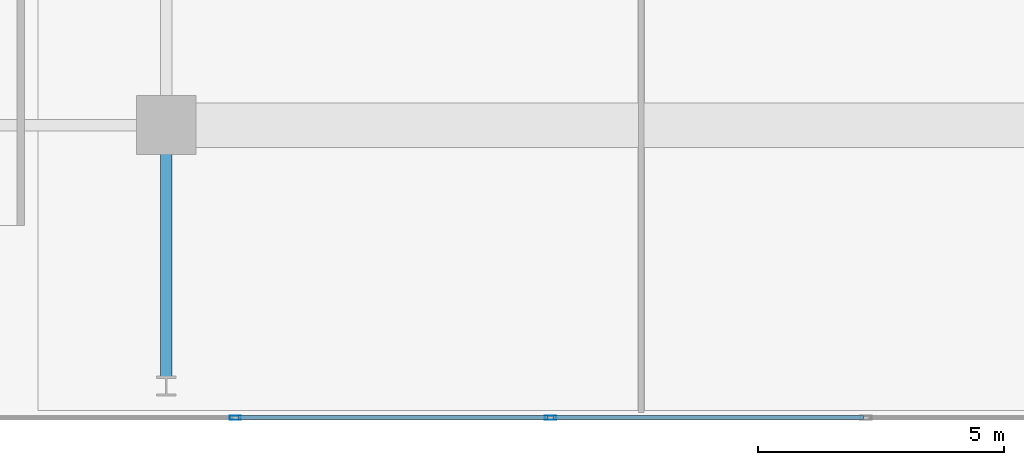
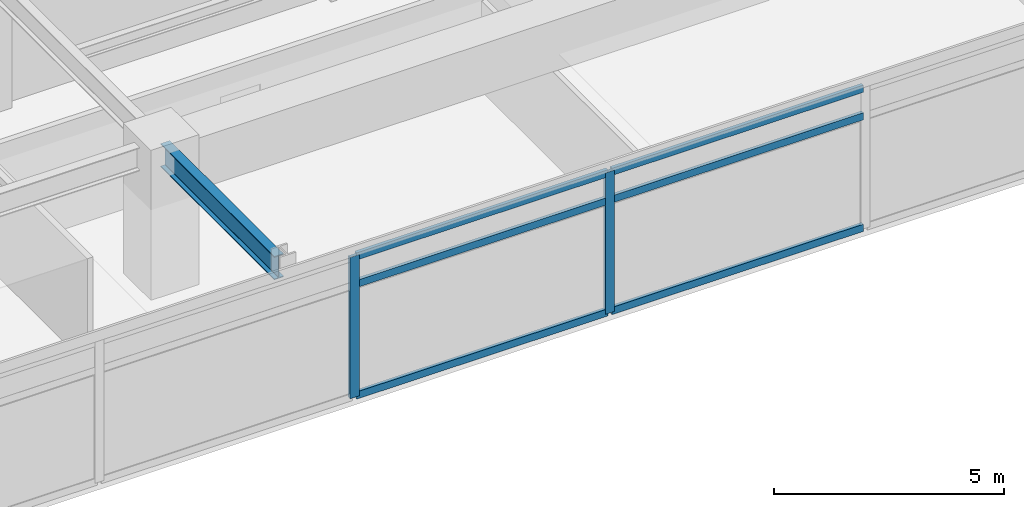
# One storey, part 4 of 18: 8 members, 1 beam, 1 element without a shape of its own.
"""IFC4 building model written with IfcOpenShell, lengths in metres."""

from ifc_helpers import new_model, si_unit, direction, frame, origin, origin_2d, place, context, subcontext, project, spatial, hollow_rectangle, i_section, extrude, material, material_profile, profile_set, type_object, element, aggregate, save


model = new_model("IFC4")

# Units and contexts
model_context = context("Model", 3, precision=1e-05, world=origin(), true_north=direction((0.0, 1.0)))
body_context = subcontext(model_context, "Body", "Model", "MODEL_VIEW")
ifc_project = project(units=[si_unit("LENGTHUNIT", "METRE"), si_unit("AREAUNIT", "SQUARE_METRE"), si_unit("VOLUMEUNIT", "CUBIC_METRE"), si_unit("PLANEANGLEUNIT", "RADIAN"), si_unit("MASSUNIT", "GRAM", prefix="KILO")], contexts=[model_context])

# Site, building, storey
site_placement = place(None, origin())
site = spatial("IfcSite", under=ifc_project, at=site_placement, CompositionType="ELEMENT")
building_placement = place(site_placement, origin())
building = spatial("IfcBuilding", under=site, at=building_placement, Name="Kovane Verandah Tower", CompositionType="ELEMENT")
storey_placement = place(building_placement, frame((0.0, 0.0, 251.199951171875)))
storey = spatial("IfcBuildingStorey", under=building, at=storey_placement, Name="L58", CompositionType="ELEMENT", Elevation=251.199951171875)

# Beam
ifc_material_1 = material(Name="Steel S355", Category="steel")
ifc_material_profile_1 = material_profile(ifc_material_1, i_section(OverallWidth=0.230224609375, OverallDepth=0.6171875, WebThickness=0.01318359375, FlangeThickness=0.022216796875, FilletRadius=0.0126953125, at=origin_2d()), Name="UB610x229x140")
ifc_profile_set_1 = profile_set([ifc_material_profile_1], Name="Steel S355")
beam_type = type_object("IfcBeamType", Name="BM-UB610x140", PredefinedType="BEAM", material=ifc_profile_set_1)
beam_placement = place(storey_placement, frame((29.0, 10.6201171875, 3.451416015625), z_axis=(0.0, -1.0, 0.0), x_axis=(1.0, 0.0, 0.0)))
element("IfcBeam", 1, at=beam_placement, inside=storey, type_object=beam_type, Name="L58 Primary Tower Girder G-VS1", PredefinedType="BEAM", context=body_context, shape_type="SweptSolid", body=[
    extrude(i_section(OverallWidth=0.230224609375, OverallDepth=0.6171875, WebThickness=0.01318359375, FlangeThickness=0.022216796875, FilletRadius=0.0126953125, at=origin_2d()), origin(), (0.0, 0.0, 1.0), 4.940185546875),
])

# Curtain wall, members
ifc_material_2 = material(Name="Champagne Anodised Aluminium Frame with Low-E Clear Laminated Glass", Category="aluminium")
curtain_wall_type = type_object("IfcCurtainWallType", Name="CW-SYS-05-HIGH", PredefinedType="NOTDEFINED", material=ifc_material_2)
curtain_wall_placement = place(storey_placement, origin())
curtain_wall = element("IfcCurtainWall", 2, at=curtain_wall_placement, inside=storey, type_object=curtain_wall_type, Name="L58 S Unitised Curtain Wall", PredefinedType="NOTDEFINED")
ifc_material_3 = material(Name="Champagne Anodised Aluminium 6063-T6", Category="aluminium")
ifc_material_profile_2 = material_profile(ifc_material_3, hollow_rectangle(XDim=0.0849609375, YDim=0.22998046875, WallThickness=0.00390625, at=origin_2d()), Name="AL85x230x4")
ifc_profile_set_2 = profile_set([ifc_material_profile_2], Name="Champagne Anodised Aluminium 6063-T6")
member_type_1 = type_object("IfcMemberType", Name="CW-MUL-85x230", PredefinedType="MULLION", material=ifc_profile_set_2)
member_1_placement = place(storey_placement, frame((30.401611328125, 4.8623046875, 0.02001953125), z_axis=(0.0, 0.0, 1.0), x_axis=(0.0, -1.0, 0.0)))
member_1 = element("IfcMember", 3, at=member_1_placement, type_object=member_type_1, Name="L58 S Unitised Curtain Wall Mullion 3", PredefinedType="MULLION", context=body_context, shape_type="SweptSolid", body=[
    extrude(hollow_rectangle(XDim=0.0849609375, YDim=0.22998046875, WallThickness=0.00390625, at=origin_2d()), origin(), (0.0, 0.0, 1.0), 3.7451171875),
])
member_2_placement = place(storey_placement, frame((36.800537109375, 4.8623046875, 0.02001953125), z_axis=(0.0, 0.0, 1.0), x_axis=(0.0, -1.0, 0.0)))
member_2 = element("IfcMember", 4, at=member_2_placement, type_object=member_type_1, Name="L58 S Unitised Curtain Wall Mullion 4", PredefinedType="MULLION", context=body_context, shape_type="SweptSolid", body=[
    extrude(hollow_rectangle(XDim=0.0849609375, YDim=0.22998046875, WallThickness=0.00390625, at=origin_2d()), origin(), (0.0, 0.0, 1.0), 3.7451171875),
])
ifc_material_profile_3 = material_profile(ifc_material_3, hollow_rectangle(XDim=0.0849609375, YDim=0.18994140625, WallThickness=0.00390625, at=origin_2d()), Name="AL85x190x4")
ifc_profile_set_3 = profile_set([ifc_material_profile_3], Name="Champagne Anodised Aluminium 6063-T6")
member_type_2 = type_object("IfcMemberType", Name="CW-TRN-85x190", PredefinedType="USERDEFINED", material=ifc_profile_set_3)
member_3_placement = place(storey_placement, frame((30.45166015625, 4.8623046875, 0.050048828125), z_axis=(1.0, 0.0, 0.0), x_axis=(0.0, 1.0, 0.0)))
member_3 = element("IfcMember", 5, at=member_3_placement, type_object=member_type_2, Name="L58 S Unitised Curtain Wall Transom TB Bay 3", ObjectType="TRANSOM", PredefinedType="USERDEFINED", context=body_context, shape_type="SweptSolid", body=[
    extrude(hollow_rectangle(XDim=0.0849609375, YDim=0.18994140625, WallThickness=0.00390625, at=origin_2d()), origin(), (0.0, 0.0, 1.0), 6.298828125),
])
member_4_placement = place(storey_placement, frame((30.45166015625, 4.8623046875, 3.005126953125), z_axis=(1.0, 0.0, 0.0), x_axis=(0.0, 1.0, 0.0)))
member_4 = element("IfcMember", 6, at=member_4_placement, type_object=member_type_2, Name="L58 S Unitised Curtain Wall Transom TM Bay 3", ObjectType="TRANSOM", PredefinedType="USERDEFINED", context=body_context, shape_type="SweptSolid", body=[
    extrude(hollow_rectangle(XDim=0.0849609375, YDim=0.18994140625, WallThickness=0.00390625, at=origin_2d()), origin(), (0.0, 0.0, 1.0), 6.298828125),
])
member_5_placement = place(storey_placement, frame((30.45166015625, 4.8623046875, 3.735107421875), z_axis=(1.0, 0.0, 0.0), x_axis=(0.0, 1.0, 0.0)))
member_5 = element("IfcMember", 7, at=member_5_placement, type_object=member_type_2, Name="L58 S Unitised Curtain Wall Transom TT Bay 3", ObjectType="TRANSOM", PredefinedType="USERDEFINED", context=body_context, shape_type="SweptSolid", body=[
    extrude(hollow_rectangle(XDim=0.0849609375, YDim=0.18994140625, WallThickness=0.00390625, at=origin_2d()), origin(), (0.0, 0.0, 1.0), 6.298828125),
])
member_6_placement = place(storey_placement, frame((36.8505859375, 4.8623046875, 0.050048828125), z_axis=(1.0, 0.0, 0.0), x_axis=(0.0, 1.0, 0.0)))
member_6 = element("IfcMember", 8, at=member_6_placement, type_object=member_type_2, Name="L58 S Unitised Curtain Wall Transom TB Bay 4", ObjectType="TRANSOM", PredefinedType="USERDEFINED", context=body_context, shape_type="SweptSolid", body=[
    extrude(hollow_rectangle(XDim=0.0849609375, YDim=0.18994140625, WallThickness=0.00390625, at=origin_2d()), origin(), (0.0, 0.0, 1.0), 6.298828125),
])
member_7_placement = place(storey_placement, frame((36.8505859375, 4.8623046875, 3.005126953125), z_axis=(1.0, 0.0, 0.0), x_axis=(0.0, 1.0, 0.0)))
member_7 = element("IfcMember", 9, at=member_7_placement, type_object=member_type_2, Name="L58 S Unitised Curtain Wall Transom TM Bay 4", ObjectType="TRANSOM", PredefinedType="USERDEFINED", context=body_context, shape_type="SweptSolid", body=[
    extrude(hollow_rectangle(XDim=0.0849609375, YDim=0.18994140625, WallThickness=0.00390625, at=origin_2d()), origin(), (0.0, 0.0, 1.0), 6.298828125),
])
member_8_placement = place(storey_placement, frame((36.8505859375, 4.8623046875, 3.735107421875), z_axis=(1.0, 0.0, 0.0), x_axis=(0.0, 1.0, 0.0)))
member_8 = element("IfcMember", 10, at=member_8_placement, type_object=member_type_2, Name="L58 S Unitised Curtain Wall Transom TT Bay 4", ObjectType="TRANSOM", PredefinedType="USERDEFINED", context=body_context, shape_type="SweptSolid", body=[
    extrude(hollow_rectangle(XDim=0.0849609375, YDim=0.18994140625, WallThickness=0.00390625, at=origin_2d()), origin(), (0.0, 0.0, 1.0), 6.298828125),
])
aggregate(curtain_wall, [member_1, member_2, member_3, member_4, member_5, member_6, member_7, member_8])

save(model, "model.ifc")
